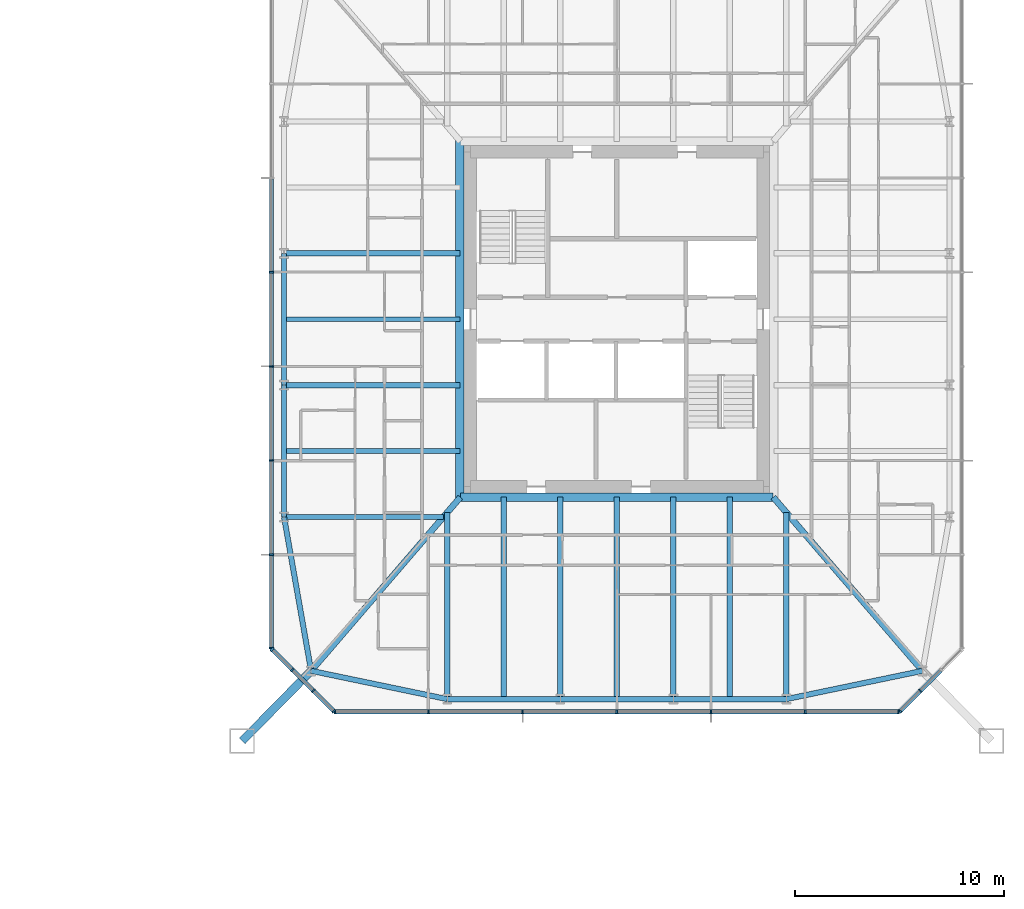
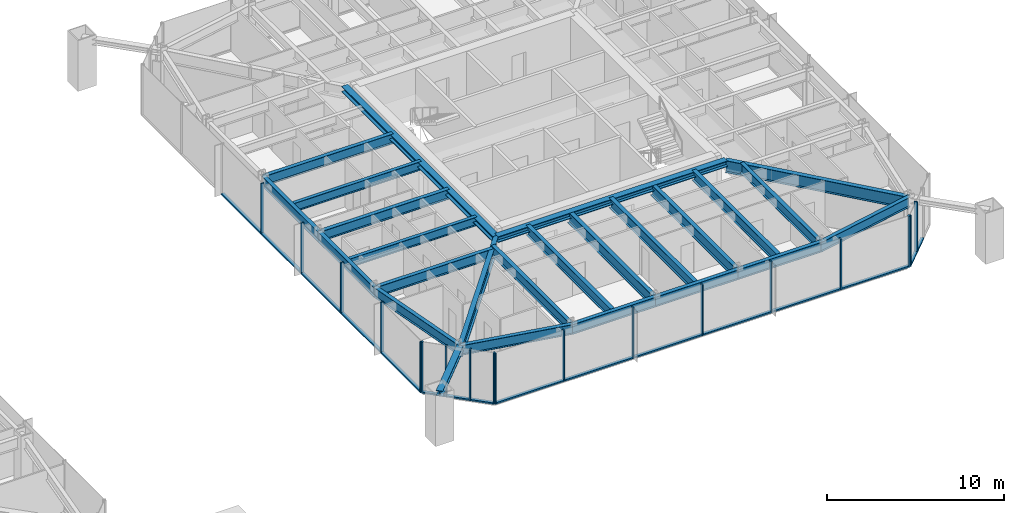
# One storey, part 8 of 26: 35 members, 24 beams, 4 elements without a shape of their own.
"""IFC4 building model written with IfcOpenShell, lengths in metres."""

import ifcopenshell
import ifcopenshell.guid

model = None  # the IFC model being written
_history = None  # IfcOwnerHistory: only IFC2X3 demands one
_inside = {}  # id of a spatial element -> (the spatial element, [elements in it])
_under = {}  # id of a project, library or spatial element -> (it, [spatial elements below it])
_declared = {}  # id of a project -> (the project, [libraries it declares])
_typed = {}  # id of a type object -> (the type object, [elements of that type])
_made_of = {}  # id of a material, layer set ... -> (it, [elements and type objects made of it])


def new_model(schema):
    """Start an empty IFC model of exactly this schema.

    Asked for "IFC4X3", IfcOpenShell would pick the latest addendum, in which some entities
    have other attributes; the version numbers below select the first issue.
    IFC2X3 requires an IfcOwnerHistory on every rooted entity: one is made here for all.
    """
    global model, _history
    if schema == "IFC4X3":
        model = ifcopenshell.file(schema_version=(4, 3, 0, 0))
    else:
        model = ifcopenshell.file(schema=schema)
    _inside.clear()
    _under.clear()
    _declared.clear()
    _typed.clear()
    _made_of.clear()
    _history = None
    if model.schema == "IFC2X3":
        org = make("IfcOrganization", Name="unknown")
        user = make(
            "IfcPersonAndOrganization",
            ThePerson=make("IfcPerson", FamilyName="unknown"),
            TheOrganization=org,
        )
        app = make(
            "IfcApplication",
            ApplicationDeveloper=org,
            Version="unknown",
            ApplicationFullName="unknown",
            ApplicationIdentifier="unknown",
        )
        _history = make(
            "IfcOwnerHistory",
            OwningUser=user,
            OwningApplication=app,
            ChangeAction="ADDED",
            CreationDate=0,
        )
    return model


def make(cls, **values):
    """One entity of the class cls with the attributes given. An attribute that is None is left unset."""
    return model.create_entity(
        cls, **{name: value for name, value in values.items() if value is not None}
    )


def rooted(cls, **values):
    """An entity with a GlobalId (a new one), such as an element, a storey or a relation."""
    return make(cls, GlobalId=ifcopenshell.guid.new(), OwnerHistory=_history, **values)


def si_unit(unit_type, name, prefix=None):
    """IfcSIUnit, for example si_unit("LENGTHUNIT", "METRE", prefix="MILLI")."""
    return make("IfcSIUnit", UnitType=unit_type, Prefix=prefix, Name=name)


def assignment(units):
    """IfcUnitAssignment: the units of a project."""
    return None if units is None else make("IfcUnitAssignment", Units=units)


def point(xyz):
    """IfcCartesianPoint."""
    return None if xyz is None else make("IfcCartesianPoint", Coordinates=xyz)


def direction(xyz):
    """IfcDirection."""
    return None if xyz is None else make("IfcDirection", DirectionRatios=xyz)


def frame(location, z_axis=None, x_axis=None):
    """IfcAxis2Placement3D, a coordinate frame: its origin and axes. An axis left out is left unset."""
    return make(
        "IfcAxis2Placement3D",
        Location=point(location),
        Axis=direction(z_axis),
        RefDirection=direction(x_axis),
    )


def frame_2d(location, x_axis=None):
    """IfcAxis2Placement2D, a coordinate frame in the plane: its origin and x axis."""
    return make(
        "IfcAxis2Placement2D", Location=point(location), RefDirection=direction(x_axis)
    )


def origin():
    """The frame at (0, 0, 0) with its axes left unset."""
    return frame((0.0, 0.0, 0.0))


def origin_2d():
    """The frame at (0, 0) in the plane with its x axis left unset."""
    return frame_2d((0.0, 0.0))


def place(relative_to, where):
    """IfcLocalPlacement: puts the frame where relative to a parent placement (None: the world)."""
    return make(
        "IfcLocalPlacement", PlacementRelTo=relative_to, RelativePlacement=where
    )


def context(
    kind, dimensions, precision=None, world=None, true_north=None, identifier=None
):
    """IfcGeometricRepresentationContext, for example the 3D "Model" context."""
    return make(
        "IfcGeometricRepresentationContext",
        ContextIdentifier=identifier,
        ContextType=kind,
        CoordinateSpaceDimension=dimensions,
        Precision=precision,
        WorldCoordinateSystem=world,
        TrueNorth=true_north,
    )


def subcontext(parent, identifier, kind, view, scale=None):
    """IfcGeometricRepresentationSubContext, for example "Body" below "Model"."""
    return make(
        "IfcGeometricRepresentationSubContext",
        ContextIdentifier=identifier,
        ContextType=kind,
        ParentContext=parent,
        TargetScale=scale,
        TargetView=view,
    )


def project(units=None, contexts=None):
    """IfcProject with its units and contexts."""
    return rooted(
        "IfcProject",
        Name="project",
        RepresentationContexts=contexts,
        UnitsInContext=assignment(units),
    )


def spatial(cls, under=None, at=None, **own):
    """A site, building, storey or space (cls), placed at a placement, below another one or the project."""
    s = rooted(cls, ObjectPlacement=at, **own)
    if under is not None:
        _under.setdefault(under.id(), (under, []))[1].append(s)
    return s


def profile(cls, at=None, kind="AREA", **sizes):
    """A parametric profile (cls). Its sizes go by their IFC names, for example OverallWidth=200.0."""
    return make(cls, ProfileType=kind, Position=at, **sizes)


def rectangle(**sizes):
    """IfcRectangleProfileDef."""
    return profile("IfcRectangleProfileDef", **sizes)


def i_section(**sizes):
    """IfcIShapeProfileDef."""
    return profile("IfcIShapeProfileDef", **sizes)


def extrude(swept, where, along, depth):
    """IfcExtrudedAreaSolid: the profile swept, set in the frame where, extruded along a direction by depth."""
    return make(
        "IfcExtrudedAreaSolid",
        SweptArea=swept,
        Position=where,
        ExtrudedDirection=direction(along),
        Depth=depth,
    )


def shape(context_of_items, identifier, shape_type, items):
    """IfcShapeRepresentation: the items that make up one representation, for example the "Body"."""
    return make(
        "IfcShapeRepresentation",
        ContextOfItems=context_of_items,
        RepresentationIdentifier=identifier,
        RepresentationType=shape_type,
        Items=items,
    )


def material(Name=None, Category=None):
    """IfcMaterial."""
    return make("IfcMaterial", Name=Name, Category=Category)


def material_profile(
    of_material, cross_section, Name=None, Category=None, Priority=None
):
    """IfcMaterialProfile: a cross section and its material."""
    return make(
        "IfcMaterialProfile",
        Name=Name,
        Material=of_material,
        Profile=cross_section,
        Priority=Priority,
        Category=Category,
    )


def profile_set(profiles, Name=None, composite=None):
    """IfcMaterialProfileSet."""
    return make(
        "IfcMaterialProfileSet",
        Name=Name,
        MaterialProfiles=profiles,
        CompositeProfile=composite,
    )


def made_of(thing, what):
    """Note that an element or type object is made of a material, layer set ...; save() writes the relation."""
    if what is not None:
        _made_of.setdefault(what.id(), (what, []))[1].append(thing)
    return thing


def type_object(cls, material=None, **own):
    """A type object (cls), such as IfcWallType, which elements share."""
    return made_of(rooted(cls, **own), material)


def element(
    cls,
    number,
    at=None,
    inside=None,
    cuts=None,
    type_object=None,
    material=None,
    context=None,
    identifier="Body",
    shape_type=None,
    held_by="IfcProductDefinitionShape",
    body=None,
    shapes=None,
    **own,
):
    """One element of the class cls, such as IfcWall. Its Tag is "e" and its number.

    at: its placement. inside: the storey or other place that contains it. cuts: it is an
    opening in that element (IfcRelVoidsElement). A single representation is given by context,
    identifier, shape_type and body (its items); several are given by shapes. held_by: the class
    of the entity that holds the representations. save() writes the other relations.
    """
    e = rooted(cls, Tag="e%d" % number, ObjectPlacement=at, **own)
    if body is not None:
        shapes = [shape(context, identifier, shape_type, body)]
    if shapes is not None:
        e.Representation = make(held_by, Representations=shapes)
    if inside is not None:
        _inside.setdefault(inside.id(), (inside, []))[1].append(e)
    if cuts is not None:
        rooted(
            "IfcRelVoidsElement", RelatingBuildingElement=cuts, RelatedOpeningElement=e
        )
    if type_object is not None:
        _typed.setdefault(type_object.id(), (type_object, []))[1].append(e)
    return made_of(e, material)


def aggregate(whole, parts):
    """IfcRelAggregates: a whole, such as a stair, and the parts it consists of."""
    return rooted("IfcRelAggregates", RelatingObject=whole, RelatedObjects=parts)


def save(model, path):
    """Write the relations noted so far, then the file.

    IfcRelAggregates (storeys below a building ...), IfcRelContainedInSpatialStructure (elements
    in a storey), IfcRelDefinesByType, IfcRelAssociatesMaterial and IfcRelDeclares: one each for
    every whole, place, type object, material and project.
    """
    for whole, parts in _under.values():
        aggregate(whole, parts)
    for where, things in _inside.values():
        rooted(
            "IfcRelContainedInSpatialStructure",
            RelatedElements=things,
            RelatingStructure=where,
        )
    for kind, things in _typed.values():
        rooted("IfcRelDefinesByType", RelatedObjects=things, RelatingType=kind)
    for what, things in _made_of.values():
        rooted("IfcRelAssociatesMaterial", RelatedObjects=things, RelatingMaterial=what)
    for by, libraries in _declared.values():
        rooted("IfcRelDeclares", RelatingContext=by, RelatedDefinitions=libraries)
    model.write(path)


model = new_model("IFC4")

# Units and contexts
model_context = context("Model", 3, precision=1e-05, world=origin(), true_north=direction((0.0, 1.0)))
body_context = subcontext(model_context, "Body", "Model", "MODEL_VIEW")
ifc_project = project(units=[si_unit("LENGTHUNIT", "METRE"), si_unit("AREAUNIT", "SQUARE_METRE"), si_unit("VOLUMEUNIT", "CUBIC_METRE"), si_unit("PLANEANGLEUNIT", "RADIAN"), si_unit("MASSUNIT", "GRAM", prefix="KILO")], contexts=[model_context])

# Site, building, storey
site_placement = place(None, origin())
site = spatial("IfcSite", under=ifc_project, at=site_placement, CompositionType="ELEMENT")
building_placement = place(site_placement, origin())
building = spatial("IfcBuilding", under=site, at=building_placement, Name="Iwan Alto Co-Living Towers", CompositionType="ELEMENT")
storey_placement = place(building_placement, frame((0.0, 0.0, 50.0)))
storey = spatial("IfcBuildingStorey", under=building, at=storey_placement, Name="L13", CompositionType="ELEMENT", Elevation=50.0)

# Curtain wall, members
ifc_material_1 = material(Name="Bronze aluminium unitised frame", Category="aluminium")
curtain_wall_type_1 = type_object("IfcCurtainWallType", Name="CURTAIN WALL CW-C", PredefinedType="NOTDEFINED", material=ifc_material_1)
curtain_wall_1_placement = place(storey_placement, origin())
curtain_wall_1 = element("IfcCurtainWall", 1, at=curtain_wall_1_placement, inside=storey, type_object=curtain_wall_type_1, Name="T2 curtain wall S L13", PredefinedType="NOTDEFINED")
ifc_material_2 = material(Name="Aluminium 6063-T6 bronze anodised", Category="aluminium")
ifc_material_profile_1 = material_profile(ifc_material_2, rectangle(XDim=0.199951171875, YDim=0.080078125, at=origin_2d()), Name="AL 80X200")
ifc_profile_set_1 = profile_set([ifc_material_profile_1], Name="Aluminium 6063-T6 bronze anodised")
member_type_1 = type_object("IfcMemberType", Name="CW-C MULLION 80X200", PredefinedType="MULLION", material=ifc_profile_set_1)
member_1_placement = place(storey_placement, frame((49.5400390625, -18.75, 0.0), z_axis=(0.0, 0.0, 1.0), x_axis=(0.0, 1.0, 0.0)))
member_1 = element("IfcMember", 2, at=member_1_placement, type_object=member_type_1, Name="CW-C mullion 1", PredefinedType="MULLION", context=body_context, shape_type="SweptSolid", body=[
    extrude(rectangle(XDim=0.199951171875, YDim=0.080078125, at=origin_2d()), origin(), (0.0, 0.0, 1.0), 3.5),
])
member_2_placement = place(storey_placement, frame((54.0, -18.75, 0.0), z_axis=(0.0, 0.0, 1.0), x_axis=(0.0, 1.0, 0.0)))
member_2 = element("IfcMember", 3, at=member_2_placement, type_object=member_type_1, Name="CW-C mullion 2", PredefinedType="MULLION", context=body_context, shape_type="SweptSolid", body=[
    extrude(rectangle(XDim=0.199951171875, YDim=0.080078125, at=origin_2d()), origin(), (0.0, 0.0, 1.0), 3.5),
])
member_3_placement = place(storey_placement, frame((58.5, -18.75, 0.0), z_axis=(0.0, 0.0, 1.0), x_axis=(0.0, 1.0, 0.0)))
member_3 = element("IfcMember", 4, at=member_3_placement, type_object=member_type_1, Name="CW-C mullion 3", PredefinedType="MULLION", context=body_context, shape_type="SweptSolid", body=[
    extrude(rectangle(XDim=0.199951171875, YDim=0.080078125, at=origin_2d()), origin(), (0.0, 0.0, 1.0), 3.5),
])
member_4_placement = place(storey_placement, frame((63.0, -18.75, 0.0), z_axis=(0.0, 0.0, 1.0), x_axis=(0.0, 1.0, 0.0)))
member_4 = element("IfcMember", 5, at=member_4_placement, type_object=member_type_1, Name="CW-C mullion 4", PredefinedType="MULLION", context=body_context, shape_type="SweptSolid", body=[
    extrude(rectangle(XDim=0.199951171875, YDim=0.080078125, at=origin_2d()), origin(), (0.0, 0.0, 1.0), 3.5),
])
member_5_placement = place(storey_placement, frame((67.5, -18.75, 0.0), z_axis=(0.0, 0.0, 1.0), x_axis=(0.0, 1.0, 0.0)))
member_5 = element("IfcMember", 6, at=member_5_placement, type_object=member_type_1, Name="CW-C mullion 5", PredefinedType="MULLION", context=body_context, shape_type="SweptSolid", body=[
    extrude(rectangle(XDim=0.199951171875, YDim=0.080078125, at=origin_2d()), origin(), (0.0, 0.0, 1.0), 3.5),
])
member_6_placement = place(storey_placement, frame((72.0, -18.75, 0.0), z_axis=(0.0, 0.0, 1.0), x_axis=(0.0, 1.0, 0.0)))
member_6 = element("IfcMember", 7, at=member_6_placement, type_object=member_type_1, Name="CW-C mullion 6", PredefinedType="MULLION", context=body_context, shape_type="SweptSolid", body=[
    extrude(rectangle(XDim=0.199951171875, YDim=0.080078125, at=origin_2d()), origin(), (0.0, 0.0, 1.0), 3.5),
])
member_7_placement = place(storey_placement, frame((76.4599609375, -18.75, 0.0), z_axis=(0.0, 0.0, 1.0), x_axis=(0.0, 1.0, 0.0)))
member_7 = element("IfcMember", 8, at=member_7_placement, type_object=member_type_1, Name="CW-C mullion 7", PredefinedType="MULLION", context=body_context, shape_type="SweptSolid", body=[
    extrude(rectangle(XDim=0.199951171875, YDim=0.080078125, at=origin_2d()), origin(), (0.0, 0.0, 1.0), 3.5),
])

curtain_wall_2_placement = place(storey_placement, origin())
curtain_wall_2 = element("IfcCurtainWall", 9, at=curtain_wall_2_placement, inside=storey, type_object=curtain_wall_type_1, Name="T2 curtain wall W L13", PredefinedType="NOTDEFINED")
member_8_placement = place(storey_placement, frame((46.5, 2.25, 0.0), z_axis=(0.0, 0.0, 1.0), x_axis=(1.0, 0.0, 0.0)))
member_8 = element("IfcMember", 10, at=member_8_placement, type_object=member_type_1, Name="CW-C mullion 4", PredefinedType="MULLION", context=body_context, shape_type="SweptSolid", body=[
    extrude(rectangle(XDim=0.199951171875, YDim=0.080078125, at=origin_2d()), origin(), (0.0, 0.0, 1.0), 3.5),
])
member_9_placement = place(storey_placement, frame((46.5, -2.25, 0.0), z_axis=(0.0, 0.0, 1.0), x_axis=(1.0, 0.0, 0.0)))
member_9 = element("IfcMember", 11, at=member_9_placement, type_object=member_type_1, Name="CW-C mullion 5", PredefinedType="MULLION", context=body_context, shape_type="SweptSolid", body=[
    extrude(rectangle(XDim=0.199951171875, YDim=0.080078125, at=origin_2d()), origin(), (0.0, 0.0, 1.0), 3.5),
])
member_10_placement = place(storey_placement, frame((46.5, -6.75, 0.0), z_axis=(0.0, 0.0, 1.0), x_axis=(1.0, 0.0, 0.0)))
member_10 = element("IfcMember", 12, at=member_10_placement, type_object=member_type_1, Name="CW-C mullion 6", PredefinedType="MULLION", context=body_context, shape_type="SweptSolid", body=[
    extrude(rectangle(XDim=0.199951171875, YDim=0.080078125, at=origin_2d()), origin(), (0.0, 0.0, 1.0), 3.5),
])
member_11_placement = place(storey_placement, frame((46.5, -11.25, 0.0), z_axis=(0.0, 0.0, 1.0), x_axis=(1.0, 0.0, 0.0)))
member_11 = element("IfcMember", 13, at=member_11_placement, type_object=member_type_1, Name="CW-C mullion 7", PredefinedType="MULLION", context=body_context, shape_type="SweptSolid", body=[
    extrude(rectangle(XDim=0.199951171875, YDim=0.080078125, at=origin_2d()), origin(), (0.0, 0.0, 1.0), 3.5),
])
member_12_placement = place(storey_placement, frame((46.5, -15.7099609375, 0.0), z_axis=(0.0, 0.0, 1.0), x_axis=(1.0, 0.0, 0.0)))
member_12 = element("IfcMember", 14, at=member_12_placement, type_object=member_type_1, Name="CW-C mullion 8", PredefinedType="MULLION", context=body_context, shape_type="SweptSolid", body=[
    extrude(rectangle(XDim=0.199951171875, YDim=0.080078125, at=origin_2d()), origin(), (0.0, 0.0, 1.0), 3.5),
])

# Member
ifc_material_3 = material(Name="Aluminium 6063-T6 bronze anodised", Category="aluminium")
ifc_material_profile_2 = material_profile(ifc_material_3, rectangle(XDim=0.199951171875, YDim=0.10009765625, at=origin_2d()), Name="AL 200X100")
ifc_profile_set_2 = profile_set([ifc_material_profile_2], Name="Aluminium 6063-T6 bronze anodised")
member_type_2 = type_object("IfcMemberType", Name="CW-C TRANSOM 200X100", PredefinedType="USERDEFINED", material=ifc_profile_set_2)
member_13_placement = place(storey_placement, frame((49.580078125, -18.75, 0.050048828125), z_axis=(1.0, 0.0, 0.0), x_axis=(0.0, 1.0, 0.0)))
member_13 = element("IfcMember", 15, at=member_13_placement, type_object=member_type_2, Name="CW-C transom 1.1", ObjectType="TRANSOM", PredefinedType="USERDEFINED", context=body_context, shape_type="SweptSolid", body=[
    extrude(rectangle(XDim=0.199951171875, YDim=0.10009765625, at=origin_2d()), origin(), (0.0, 0.0, 1.0), 4.3798828125),
])

member_14_placement = place(storey_placement, frame((54.0400390625, -18.75, 0.050048828125), z_axis=(1.0, 0.0, 0.0), x_axis=(0.0, 1.0, 0.0)))
member_14 = element("IfcMember", 16, at=member_14_placement, type_object=member_type_2, Name="CW-C transom 2.1", ObjectType="TRANSOM", PredefinedType="USERDEFINED", context=body_context, shape_type="SweptSolid", body=[
    extrude(rectangle(XDim=0.199951171875, YDim=0.10009765625, at=origin_2d()), origin(), (0.0, 0.0, 1.0), 4.419921875),
])

member_15_placement = place(storey_placement, frame((58.5400390625, -18.75, 0.050048828125), z_axis=(1.0, 0.0, 0.0), x_axis=(0.0, 1.0, 0.0)))
member_15 = element("IfcMember", 17, at=member_15_placement, type_object=member_type_2, Name="CW-C transom 3.1", ObjectType="TRANSOM", PredefinedType="USERDEFINED", context=body_context, shape_type="SweptSolid", body=[
    extrude(rectangle(XDim=0.199951171875, YDim=0.10009765625, at=origin_2d()), origin(), (0.0, 0.0, 1.0), 4.419921875),
])

member_16_placement = place(storey_placement, frame((63.0400390625, -18.75, 0.050048828125), z_axis=(1.0, 0.0, 0.0), x_axis=(0.0, 1.0, 0.0)))
member_16 = element("IfcMember", 18, at=member_16_placement, type_object=member_type_2, Name="CW-C transom 4.1", ObjectType="TRANSOM", PredefinedType="USERDEFINED", context=body_context, shape_type="SweptSolid", body=[
    extrude(rectangle(XDim=0.199951171875, YDim=0.10009765625, at=origin_2d()), origin(), (0.0, 0.0, 1.0), 4.419921875),
])

member_17_placement = place(storey_placement, frame((67.5400390625, -18.75, 0.050048828125), z_axis=(1.0, 0.0, 0.0), x_axis=(0.0, 1.0, 0.0)))
member_17 = element("IfcMember", 19, at=member_17_placement, type_object=member_type_2, Name="CW-C transom 5.1", ObjectType="TRANSOM", PredefinedType="USERDEFINED", context=body_context, shape_type="SweptSolid", body=[
    extrude(rectangle(XDim=0.199951171875, YDim=0.10009765625, at=origin_2d()), origin(), (0.0, 0.0, 1.0), 4.419921875),
])

member_18_placement = place(storey_placement, frame((72.0400390625, -18.75, 0.050048828125), z_axis=(1.0, 0.0, 0.0), x_axis=(0.0, 1.0, 0.0)))
member_18 = element("IfcMember", 20, at=member_18_placement, type_object=member_type_2, Name="CW-C transom 6.1", ObjectType="TRANSOM", PredefinedType="USERDEFINED", context=body_context, shape_type="SweptSolid", body=[
    extrude(rectangle(XDim=0.199951171875, YDim=0.10009765625, at=origin_2d()), origin(), (0.0, 0.0, 1.0), 4.3798828125),
])

aggregate(curtain_wall_1, [member_1, member_2, member_3, member_4, member_5, member_6, member_7, member_13, member_14, member_15, member_16, member_17, member_18])

member_19_placement = place(storey_placement, frame((46.5, 6.7099609375, 0.050048828125), z_axis=(0.0, -1.0, 0.0), x_axis=(1.0, 0.0, 0.0)))
member_19 = element("IfcMember", 21, at=member_19_placement, type_object=member_type_2, Name="CW-C transom 3.1", ObjectType="TRANSOM", PredefinedType="USERDEFINED", context=body_context, shape_type="SweptSolid", body=[
    extrude(rectangle(XDim=0.199951171875, YDim=0.10009765625, at=origin_2d()), origin(), (0.0, 0.0, 1.0), 4.419921875),
])

member_20_placement = place(storey_placement, frame((46.5, 2.2099609375, 0.050048828125), z_axis=(0.0, -1.0, 0.0), x_axis=(1.0, 0.0, 0.0)))
member_20 = element("IfcMember", 22, at=member_20_placement, type_object=member_type_2, Name="CW-C transom 4.1", ObjectType="TRANSOM", PredefinedType="USERDEFINED", context=body_context, shape_type="SweptSolid", body=[
    extrude(rectangle(XDim=0.199951171875, YDim=0.10009765625, at=origin_2d()), origin(), (0.0, 0.0, 1.0), 4.419921875),
])

member_21_placement = place(storey_placement, frame((46.5, -2.2900390625, 0.050048828125), z_axis=(0.0, -1.0, 0.0), x_axis=(1.0, 0.0, 0.0)))
member_21 = element("IfcMember", 23, at=member_21_placement, type_object=member_type_2, Name="CW-C transom 5.1", ObjectType="TRANSOM", PredefinedType="USERDEFINED", context=body_context, shape_type="SweptSolid", body=[
    extrude(rectangle(XDim=0.199951171875, YDim=0.10009765625, at=origin_2d()), origin(), (0.0, 0.0, 1.0), 4.419921875),
])

member_22_placement = place(storey_placement, frame((46.5, -6.7900390625, 0.050048828125), z_axis=(0.0, -1.0, 0.0), x_axis=(1.0, 0.0, 0.0)))
member_22 = element("IfcMember", 24, at=member_22_placement, type_object=member_type_2, Name="CW-C transom 6.1", ObjectType="TRANSOM", PredefinedType="USERDEFINED", context=body_context, shape_type="SweptSolid", body=[
    extrude(rectangle(XDim=0.199951171875, YDim=0.10009765625, at=origin_2d()), origin(), (0.0, 0.0, 1.0), 4.419921875),
])

member_23_placement = place(storey_placement, frame((46.5, -11.2900390625, 0.050048828125), z_axis=(0.0, -1.0, 0.0), x_axis=(1.0, 0.0, 0.0)))
member_23 = element("IfcMember", 25, at=member_23_placement, type_object=member_type_2, Name="CW-C transom 7.1", ObjectType="TRANSOM", PredefinedType="USERDEFINED", context=body_context, shape_type="SweptSolid", body=[
    extrude(rectangle(XDim=0.199951171875, YDim=0.10009765625, at=origin_2d()), origin(), (0.0, 0.0, 1.0), 4.3798828125),
])

aggregate(curtain_wall_2, [member_8, member_9, member_10, member_11, member_12, member_19, member_20, member_21, member_22, member_23])

# Curtain wall, members
ifc_material_4 = material(Name="Bronze aluminium unitised frame", Category="aluminium")
curtain_wall_type_2 = type_object("IfcCurtainWallType", Name="CURTAIN WALL CW-D", PredefinedType="NOTDEFINED", material=ifc_material_4)
curtain_wall_3_placement = place(storey_placement, origin())
curtain_wall_3 = element("IfcCurtainWall", 26, at=curtain_wall_3_placement, inside=storey, type_object=curtain_wall_type_2, Name="T2 chamfer curtain wall SE L13", PredefinedType="NOTDEFINED")
ifc_material_5 = material(Name="Aluminium 6063-T6 bronze anodised", Category="aluminium")
ifc_material_profile_3 = material_profile(ifc_material_5, rectangle(XDim=0.199951171875, YDim=0.080078125, at=origin_2d()), Name="AL 80X200")
ifc_profile_set_3 = profile_set([ifc_material_profile_3], Name="Aluminium 6063-T6 bronze anodised")
member_type_3 = type_object("IfcMemberType", Name="CW-D MULLION 80X200", PredefinedType="MULLION", material=ifc_profile_set_3)
member_24_placement = place(storey_placement, frame((76.5283203125, -18.7216796875, 0.0), z_axis=(0.0, 0.0, 1.0), x_axis=(-0.707106781187, 0.707106781187, 0.0)))
member_24 = element("IfcMember", 27, at=member_24_placement, type_object=member_type_3, Name="CW-D mullion 1", PredefinedType="MULLION", context=body_context, shape_type="SweptSolid", body=[
    extrude(rectangle(XDim=0.199951171875, YDim=0.080078125, at=origin_2d()), origin(), (0.0, 0.0, 1.0), 3.5),
])
member_25_placement = place(storey_placement, frame((77.5, -17.75, 0.0), z_axis=(0.0, 0.0, 1.0), x_axis=(-0.707106781187, 0.707106781187, 0.0)))
member_25 = element("IfcMember", 28, at=member_25_placement, type_object=member_type_3, Name="CW-D mullion 2", PredefinedType="MULLION", context=body_context, shape_type="SweptSolid", body=[
    extrude(rectangle(XDim=0.199951171875, YDim=0.080078125, at=origin_2d()), origin(), (0.0, 0.0, 1.0), 3.5),
])

curtain_wall_4_placement = place(storey_placement, origin())
curtain_wall_4 = element("IfcCurtainWall", 29, at=curtain_wall_4_placement, inside=storey, type_object=curtain_wall_type_2, Name="T2 chamfer curtain wall SW L13", PredefinedType="NOTDEFINED")
member_26_placement = place(storey_placement, frame((46.5283203125, -15.7783203125, 0.0), z_axis=(0.0, 0.0, 1.0), x_axis=(0.707106781187, 0.707106781187, 0.0)))
member_26 = element("IfcMember", 30, at=member_26_placement, type_object=member_type_3, Name="CW-D mullion 1", PredefinedType="MULLION", context=body_context, shape_type="SweptSolid", body=[
    extrude(rectangle(XDim=0.199951171875, YDim=0.080078125, at=origin_2d()), origin(), (0.0, 0.0, 1.0), 3.5),
])
member_27_placement = place(storey_placement, frame((47.5, -16.75, 0.0), z_axis=(0.0, 0.0, 1.0), x_axis=(0.707106781187, 0.707106781187, 0.0)))
member_27 = element("IfcMember", 31, at=member_27_placement, type_object=member_type_3, Name="CW-D mullion 2", PredefinedType="MULLION", context=body_context, shape_type="SweptSolid", body=[
    extrude(rectangle(XDim=0.199951171875, YDim=0.080078125, at=origin_2d()), origin(), (0.0, 0.0, 1.0), 3.5),
])
member_28_placement = place(storey_placement, frame((48.5, -17.75, 0.0), z_axis=(0.0, 0.0, 1.0), x_axis=(0.707106781187, 0.707106781187, 0.0)))
member_28 = element("IfcMember", 32, at=member_28_placement, type_object=member_type_3, Name="CW-D mullion 3", PredefinedType="MULLION", context=body_context, shape_type="SweptSolid", body=[
    extrude(rectangle(XDim=0.199951171875, YDim=0.080078125, at=origin_2d()), origin(), (0.0, 0.0, 1.0), 3.5),
])
member_29_placement = place(storey_placement, frame((49.4716796875, -18.7216796875, 0.0), z_axis=(0.0, 0.0, 1.0), x_axis=(0.707106781187, 0.707106781187, 0.0)))
member_29 = element("IfcMember", 33, at=member_29_placement, type_object=member_type_3, Name="CW-D mullion 4", PredefinedType="MULLION", context=body_context, shape_type="SweptSolid", body=[
    extrude(rectangle(XDim=0.199951171875, YDim=0.080078125, at=origin_2d()), origin(), (0.0, 0.0, 1.0), 3.5),
])

# Member
ifc_material_6 = material(Name="Aluminium 6063-T6 bronze anodised", Category="aluminium")
ifc_material_profile_4 = material_profile(ifc_material_6, rectangle(XDim=0.199951171875, YDim=0.10009765625, at=origin_2d()), Name="AL 200X100")
ifc_profile_set_4 = profile_set([ifc_material_profile_4], Name="Aluminium 6063-T6 bronze anodised")
member_type_4 = type_object("IfcMemberType", Name="CW-D TRANSOM 200X100", PredefinedType="USERDEFINED", material=ifc_profile_set_4)
member_30_placement = place(storey_placement, frame((76.556640625, -18.693359375, 0.050048828125), z_axis=(0.707106781187, 0.707106781187, 0.0), x_axis=(-0.707106781187, 0.707106781187, 0.0)))
member_30 = element("IfcMember", 34, at=member_30_placement, type_object=member_type_4, Name="CW-D transom 1.1", ObjectType="TRANSOM", PredefinedType="USERDEFINED", context=body_context, shape_type="SweptSolid", body=[
    extrude(rectangle(XDim=0.199951171875, YDim=0.10009765625, at=origin_2d()), origin(), (0.0, 0.0, 1.0), 1.2939453125),
])

member_31_placement = place(storey_placement, frame((77.5283203125, -17.7216796875, 0.050048828125), z_axis=(0.707106781187, 0.707106781187, 0.0), x_axis=(-0.707106781187, 0.707106781187, 0.0)))
member_31 = element("IfcMember", 35, at=member_31_placement, type_object=member_type_4, Name="CW-D transom 2.1", ObjectType="TRANSOM", PredefinedType="USERDEFINED", context=body_context, shape_type="SweptSolid", body=[
    extrude(rectangle(XDim=0.199951171875, YDim=0.10009765625, at=origin_2d()), origin(), (0.0, 0.0, 1.0), 1.334228515625),
])

aggregate(curtain_wall_3, [member_24, member_25, member_30, member_31])

member_32_placement = place(storey_placement, frame((46.556640625, -15.806640625, 0.050048828125), z_axis=(0.707106781187, -0.707106781187, 0.0), x_axis=(0.707106781187, 0.707106781187, 0.0)))
member_32 = element("IfcMember", 36, at=member_32_placement, type_object=member_type_4, Name="CW-D transom 1.1", ObjectType="TRANSOM", PredefinedType="USERDEFINED", context=body_context, shape_type="SweptSolid", body=[
    extrude(rectangle(XDim=0.199951171875, YDim=0.10009765625, at=origin_2d()), origin(), (0.0, 0.0, 1.0), 1.2939453125),
])

member_33_placement = place(storey_placement, frame((47.5283203125, -16.7783203125, 0.050048828125), z_axis=(0.707106781187, -0.707106781187, 0.0), x_axis=(0.707106781187, 0.707106781187, 0.0)))
member_33 = element("IfcMember", 37, at=member_33_placement, type_object=member_type_4, Name="CW-D transom 2.1", ObjectType="TRANSOM", PredefinedType="USERDEFINED", context=body_context, shape_type="SweptSolid", body=[
    extrude(rectangle(XDim=0.199951171875, YDim=0.10009765625, at=origin_2d()), origin(), (0.0, 0.0, 1.0), 1.334228515625),
])

member_34_placement = place(storey_placement, frame((48.5283203125, -17.7783203125, 0.050048828125), z_axis=(0.707106781187, -0.707106781187, 0.0), x_axis=(0.707106781187, 0.707106781187, 0.0)))
member_34 = element("IfcMember", 38, at=member_34_placement, type_object=member_type_4, Name="CW-D transom 3.1", ObjectType="TRANSOM", PredefinedType="USERDEFINED", context=body_context, shape_type="SweptSolid", body=[
    extrude(rectangle(XDim=0.199951171875, YDim=0.10009765625, at=origin_2d()), origin(), (0.0, 0.0, 1.0), 1.2939453125),
])

aggregate(curtain_wall_4, [member_26, member_27, member_28, member_29, member_32, member_33, member_34])

# Beams
ifc_material_7 = material(Name="Steel ASTM A992 Gr 50", Category="steel")
ifc_material_profile_5 = material_profile(ifc_material_7, i_section(OverallWidth=0.40380859375, OverallDepth=0.406494140625, WebThickness=0.027099609375, FlangeThickness=0.043701171875, at=origin_2d()), Name="W14X233")
ifc_profile_set_5 = profile_set([ifc_material_profile_5], Name="Steel ASTM A992 Gr 50")
beam_type_1 = type_object("IfcBeamType", Name="T2 CORE LEDGER BEAM W14X233", PredefinedType="BEAM", material=ifc_profile_set_5)
beam_1_placement = place(storey_placement, frame((55.5263671875, -8.501953125, 3.06689453125), z_axis=(1.0, 0.0, 0.0), x_axis=(0.0, 1.0, 0.0)))
element("IfcBeam", 39, at=beam_1_placement, inside=storey, type_object=beam_type_1, Name="T2 core ledger beam S L14", PredefinedType="BEAM", context=body_context, shape_type="SweptSolid", body=[
    extrude(i_section(OverallWidth=0.40380859375, OverallDepth=0.406494140625, WebThickness=0.027099609375, FlangeThickness=0.043701171875, at=origin_2d()), origin(), (0.0, 0.0, 1.0), 14.947265625),
])
beam_2_placement = place(storey_placement, frame((55.498046875, 8.534912109375, 3.06689453125), z_axis=(0.0, -1.0, 0.0), x_axis=(1.0, 0.0, 0.0)))
element("IfcBeam", 40, at=beam_2_placement, inside=storey, type_object=beam_type_1, Name="T2 core ledger beam W L14", PredefinedType="BEAM", context=body_context, shape_type="SweptSolid", body=[
    extrude(i_section(OverallWidth=0.40380859375, OverallDepth=0.406494140625, WebThickness=0.027099609375, FlangeThickness=0.043701171875, at=origin_2d()), origin(), (0.0, 0.0, 1.0), 17.06982421875),
])
ifc_material_8 = material(Name="Steel ASTM A992 Gr 50", Category="steel")
ifc_material_profile_6 = material_profile(ifc_material_8, i_section(OverallWidth=0.2919921875, OverallDepth=0.8408203125, WebThickness=0.0146484375, FlangeThickness=0.021728515625, at=origin_2d()), Name="W33X130")
ifc_profile_set_6 = profile_set([ifc_material_profile_6], Name="Steel ASTM A992 Gr 50")
beam_type_2 = type_object("IfcBeamType", Name="T2 CORNER GIRDER W33X130", PredefinedType="BEAM", material=ifc_profile_set_6)
for number, where, z_axis, x_axis, name in (
    (41, (48.393798828125, -16.797119140625, 2.849609375), (0.651972301827, 0.758242782788, 0.0), (-0.758242782788, 0.651972301827, 0.0), "T2 corner girder CSW L14"),
    (42, (77.606201171875, -16.797119140625, 2.849609375), (-0.651972301827, 0.758242782788, 0.0), (-0.758242782788, -0.651972301827, 0.0), "T2 corner girder CSE L14"),
):
    element("IfcBeam", number, at=place(storey_placement, frame(where, z_axis=z_axis, x_axis=x_axis)), inside=storey, type_object=beam_type_2, Name=name, PredefinedType="BEAM", context=body_context, shape_type="SweptSolid", body=[
        extrude(i_section(OverallWidth=0.2919921875, OverallDepth=0.8408203125, WebThickness=0.0146484375, FlangeThickness=0.021728515625, at=origin_2d()), origin(), (0.0, 0.0, 1.0), 10.93994140625),
    ])
ifc_material_9 = material(Name="Steel ASTM A992 Gr 50", Category="steel")
ifc_material_profile_7 = material_profile(ifc_material_9, i_section(OverallWidth=0.25390625, OverallDepth=0.683349609375, WebThickness=0.012451171875, FlangeThickness=0.018798828125, at=origin_2d()), Name="W27X94")
ifc_profile_set_7 = profile_set([ifc_material_profile_7], Name="Steel ASTM A992 Gr 50")
beam_type_3 = type_object("IfcBeamType", Name="T2 EDGE BEAM W27X94", PredefinedType="BEAM", material=ifc_profile_set_7)
beam_3_placement = place(storey_placement, frame((48.393798828125, -16.797119140625, 2.928466796875), z_axis=(0.979060119423, -0.203571320564, 0.0), x_axis=(0.203571320564, 0.979060119423, 0.0)))
element("IfcBeam", 43, at=beam_3_placement, inside=storey, type_object=beam_type_3, Name="T2 edge beam CSW L14", PredefinedType="BEAM", context=body_context, shape_type="SweptSolid", body=[
    extrude(i_section(OverallWidth=0.25390625, OverallDepth=0.683349609375, WebThickness=0.012451171875, FlangeThickness=0.018798828125, at=origin_2d()), origin(), (0.0, 0.0, 1.0), 6.645263671875),
])
beam_4_placement = place(storey_placement, frame((54.89990234375, -18.14990234375, 2.928466796875), z_axis=(1.0, 0.0, 0.0), x_axis=(0.0, 1.0, 0.0)))
element("IfcBeam", 44, at=beam_4_placement, inside=storey, type_object=beam_type_3, Name="T2 edge beam S1 L14", PredefinedType="BEAM", context=body_context, shape_type="SweptSolid", body=[
    extrude(i_section(OverallWidth=0.25390625, OverallDepth=0.683349609375, WebThickness=0.012451171875, FlangeThickness=0.018798828125, at=origin_2d()), origin(), (0.0, 0.0, 1.0), 5.400146484375),
])
beam_5_placement = place(storey_placement, frame((60.300048828125, -18.14990234375, 2.928466796875), z_axis=(1.0, 0.0, 0.0), x_axis=(0.0, 1.0, 0.0)))
element("IfcBeam", 45, at=beam_5_placement, inside=storey, type_object=beam_type_3, Name="T2 edge beam S2 L14", PredefinedType="BEAM", context=body_context, shape_type="SweptSolid", body=[
    extrude(i_section(OverallWidth=0.25390625, OverallDepth=0.683349609375, WebThickness=0.012451171875, FlangeThickness=0.018798828125, at=origin_2d()), origin(), (0.0, 0.0, 1.0), 5.39990234375),
])
beam_6_placement = place(storey_placement, frame((65.699951171875, -18.14990234375, 2.928466796875), z_axis=(1.0, 0.0, 0.0), x_axis=(0.0, 1.0, 0.0)))
element("IfcBeam", 46, at=beam_6_placement, inside=storey, type_object=beam_type_3, Name="T2 edge beam S3 L14", PredefinedType="BEAM", context=body_context, shape_type="SweptSolid", body=[
    extrude(i_section(OverallWidth=0.25390625, OverallDepth=0.683349609375, WebThickness=0.012451171875, FlangeThickness=0.018798828125, at=origin_2d()), origin(), (0.0, 0.0, 1.0), 5.400146484375),
])
beam_7_placement = place(storey_placement, frame((71.10009765625, -18.14990234375, 2.928466796875), z_axis=(0.979060119423, 0.203571320564, 0.0), x_axis=(-0.203571320564, 0.979060119423, 0.0)))
element("IfcBeam", 47, at=beam_7_placement, inside=storey, type_object=beam_type_3, Name="T2 edge beam S4 L14", PredefinedType="BEAM", context=body_context, shape_type="SweptSolid", body=[
    extrude(i_section(OverallWidth=0.25390625, OverallDepth=0.683349609375, WebThickness=0.012451171875, FlangeThickness=0.018798828125, at=origin_2d()), origin(), (0.0, 0.0, 1.0), 6.645263671875),
])
beam_8_placement = place(storey_placement, frame((47.10009765625, 3.14990234375, 2.928466796875), z_axis=(0.0, -1.0, 0.0), x_axis=(1.0, 0.0, 0.0)))
element("IfcBeam", 48, at=beam_8_placement, inside=storey, type_object=beam_type_3, Name="T2 edge beam W2 L14", PredefinedType="BEAM", context=body_context, shape_type="SweptSolid", body=[
    extrude(i_section(OverallWidth=0.25390625, OverallDepth=0.683349609375, WebThickness=0.012451171875, FlangeThickness=0.018798828125, at=origin_2d()), origin(), (0.0, 0.0, 1.0), 6.2998046875),
])
beam_9_placement = place(storey_placement, frame((47.10009765625, -3.14990234375, 2.928466796875), z_axis=(0.0, -1.0, 0.0), x_axis=(1.0, 0.0, 0.0)))
element("IfcBeam", 49, at=beam_9_placement, inside=storey, type_object=beam_type_3, Name="T2 edge beam W3 L14", PredefinedType="BEAM", context=body_context, shape_type="SweptSolid", body=[
    extrude(i_section(OverallWidth=0.25390625, OverallDepth=0.683349609375, WebThickness=0.012451171875, FlangeThickness=0.018798828125, at=origin_2d()), origin(), (0.0, 0.0, 1.0), 6.300048828125),
])
beam_10_placement = place(storey_placement, frame((47.10009765625, -9.449951171875, 2.928466796875), z_axis=(0.173413807283, -0.98484905008, 0.0), x_axis=(0.98484905008, 0.173413807283, 0.0)))
element("IfcBeam", 50, at=beam_10_placement, inside=storey, type_object=beam_type_3, Name="T2 edge beam W4 L14", PredefinedType="BEAM", context=body_context, shape_type="SweptSolid", body=[
    extrude(i_section(OverallWidth=0.25390625, OverallDepth=0.683349609375, WebThickness=0.012451171875, FlangeThickness=0.018798828125, at=origin_2d()), origin(), (0.0, 0.0, 1.0), 7.460205078125),
])

# Member
ifc_material_10 = material(Name="Steel ASTM A992 Gr 50", Category="steel")
ifc_material_profile_8 = material_profile(ifc_material_10, i_section(OverallWidth=0.393798828125, OverallDepth=0.3759765625, WebThickness=0.017333984375, FlangeThickness=0.027587890625, at=origin_2d()), Name="W14X145")
ifc_profile_set_8 = profile_set([ifc_material_profile_8], Name="Steel ASTM A992 Gr 50")
member_type_5 = type_object("IfcMemberType", Name="T2 MEGA COLUMN FLOOR TIE W14X145", PredefinedType="STRUT", material=ifc_profile_set_8)
member_35_placement = place(storey_placement, frame((45.10009765625, -20.14990234375, 3.08203125), z_axis=(0.700793469544, 0.71336422187, 0.0), x_axis=(-0.71336422187, 0.700793469544, 0.0)))
element("IfcMember", 51, at=member_35_placement, inside=storey, type_object=member_type_5, Name="T2 mega column floor tie SW L14", PredefinedType="STRUT", context=body_context, shape_type="SweptSolid", body=[
    extrude(i_section(OverallWidth=0.393798828125, OverallDepth=0.3759765625, WebThickness=0.017333984375, FlangeThickness=0.027587890625, at=origin_2d()), origin(), (0.0, 0.0, 1.0), 4.699951171875),
])

# Beams
ifc_material_11 = material(Name="Steel ASTM A992 Gr 50", Category="steel")
ifc_material_profile_9 = material_profile(ifc_material_11, i_section(OverallWidth=0.25390625, OverallDepth=0.683349609375, WebThickness=0.012451171875, FlangeThickness=0.018798828125, at=origin_2d()), Name="W27X94")
ifc_profile_set_9 = profile_set([ifc_material_profile_9], Name="Steel ASTM A992 Gr 50")
beam_type_4 = type_object("IfcBeamType", Name="T2 RADIAL BEAM W27X94", PredefinedType="BEAM", material=ifc_profile_set_9)
for number, where, z_axis, x_axis, name in (
    (52, (54.89990234375, -18.14990234375, 2.928466796875), (0.0, 1.0, 0.0), (-1.0, 0.0, 0.0), "T2 radial beam S1 L14"),
    (53, (71.10009765625, -18.14990234375, 2.928466796875), (0.0, 1.0, 0.0), (-1.0, 0.0, 0.0), "T2 radial beam S4 L14"),
):
    element("IfcBeam", number, at=place(storey_placement, frame(where, z_axis=z_axis, x_axis=x_axis)), inside=storey, type_object=beam_type_4, Name=name, PredefinedType="BEAM", context=body_context, shape_type="SweptSolid", body=[
        extrude(i_section(OverallWidth=0.25390625, OverallDepth=0.683349609375, WebThickness=0.012451171875, FlangeThickness=0.018798828125, at=origin_2d()), origin(), (0.0, 0.0, 1.0), 8.91943359375),
    ])
for number, where, z_axis, x_axis, name in (
    (54, (47.10009765625, 3.14990234375, 2.928466796875), (1.0, 0.0, 0.0), (0.0, 1.0, 0.0), "T2 radial beam W2 L14"),
    (55, (47.10009765625, -3.14990234375, 2.928466796875), (1.0, 0.0, 0.0), (0.0, 1.0, 0.0), "T2 radial beam W3 L14"),
):
    element("IfcBeam", number, at=place(storey_placement, frame(where, z_axis=z_axis, x_axis=x_axis)), inside=storey, type_object=beam_type_4, Name=name, PredefinedType="BEAM", context=body_context, shape_type="SweptSolid", body=[
        extrude(i_section(OverallWidth=0.25390625, OverallDepth=0.683349609375, WebThickness=0.012451171875, FlangeThickness=0.018798828125, at=origin_2d()), origin(), (0.0, 0.0, 1.0), 8.39794921875),
    ])
beam_11_placement = place(storey_placement, frame((47.10009765625, -9.449951171875, 2.928466796875), z_axis=(1.0, 0.0, 0.0), x_axis=(0.0, 1.0, 0.0)))
element("IfcBeam", 56, at=beam_11_placement, inside=storey, type_object=beam_type_4, Name="T2 radial beam W4 L14", PredefinedType="BEAM", context=body_context, shape_type="SweptSolid", body=[
    extrude(i_section(OverallWidth=0.25390625, OverallDepth=0.683349609375, WebThickness=0.012451171875, FlangeThickness=0.018798828125, at=origin_2d()), origin(), (0.0, 0.0, 1.0), 7.611083984375),
])
ifc_material_12 = material(Name="Steel ASTM A992 Gr 50", Category="steel")
ifc_material_profile_10 = material_profile(ifc_material_12, i_section(OverallWidth=0.2666015625, OverallDepth=0.761962890625, WebThickness=0.014404296875, FlangeThickness=0.021484375, at=origin_2d()), Name="W30X116")
ifc_profile_set_10 = profile_set([ifc_material_profile_10], Name="Steel ASTM A992 Gr 50")
beam_type_5 = type_object("IfcBeamType", Name="T2 RADIAL BEAM W30X116", PredefinedType="BEAM", material=ifc_profile_set_10)
for number, where, z_axis, x_axis, name in (
    (57, (60.300048828125, -18.14990234375, 2.888916015625), (0.0, 1.0, 0.0), (-1.0, 0.0, 0.0), "T2 radial beam S2 L14"),
    (58, (65.699951171875, -18.14990234375, 2.888916015625), (0.0, 1.0, 0.0), (-1.0, 0.0, 0.0), "T2 radial beam S3 L14"),
):
    element("IfcBeam", number, at=place(storey_placement, frame(where, z_axis=z_axis, x_axis=x_axis)), inside=storey, type_object=beam_type_5, Name=name, PredefinedType="BEAM", context=body_context, shape_type="SweptSolid", body=[
        extrude(i_section(OverallWidth=0.2666015625, OverallDepth=0.761962890625, WebThickness=0.014404296875, FlangeThickness=0.021484375, at=origin_2d()), origin(), (0.0, 0.0, 1.0), 9.64794921875),
    ])
ifc_material_13 = material(Name="Steel ASTM A992 Gr 50", Category="steel")
ifc_material_profile_11 = material_profile(ifc_material_13, i_section(OverallWidth=0.228271484375, OverallDepth=0.607177734375, WebThickness=0.01123046875, FlangeThickness=0.017333984375, at=origin_2d()), Name="W24X76")
ifc_profile_set_11 = profile_set([ifc_material_profile_11], Name="Steel ASTM A992 Gr 50")
beam_type_6 = type_object("IfcBeamType", Name="T2 SECONDARY BEAM W24X76", PredefinedType="JOIST", material=ifc_profile_set_11)
for number, where, z_axis, x_axis, name in (
    (59, (47.10009765625, 0.0, 2.966552734375), (1.0, 0.0, 0.0), (0.0, 1.0, 0.0), "T2 secondary beam W2 L14"),
    (60, (47.10009765625, -6.300048828125, 2.966552734375), (1.0, 0.0, 0.0), (0.0, 1.0, 0.0), "T2 secondary beam W3 L14"),
):
    element("IfcBeam", number, at=place(storey_placement, frame(where, z_axis=z_axis, x_axis=x_axis)), inside=storey, type_object=beam_type_6, Name=name, PredefinedType="JOIST", context=body_context, shape_type="SweptSolid", body=[
        extrude(i_section(OverallWidth=0.228271484375, OverallDepth=0.607177734375, WebThickness=0.01123046875, FlangeThickness=0.017333984375, at=origin_2d()), origin(), (0.0, 0.0, 1.0), 8.39794921875),
    ])
ifc_material_14 = material(Name="Steel ASTM A992 Gr 50", Category="steel")
ifc_material_profile_12 = material_profile(ifc_material_14, i_section(OverallWidth=0.25390625, OverallDepth=0.683349609375, WebThickness=0.012451171875, FlangeThickness=0.018798828125, at=origin_2d()), Name="W27X94")
ifc_profile_set_12 = profile_set([ifc_material_profile_12], Name="Steel ASTM A992 Gr 50")
beam_type_7 = type_object("IfcBeamType", Name="T2 SECONDARY BEAM W27X94", PredefinedType="JOIST", material=ifc_profile_set_12)
for number, where, z_axis, x_axis, name in (
    (61, (57.60009765625, -18.14990234375, 2.928466796875), (0.0, 1.0, 0.0), (-1.0, 0.0, 0.0), "T2 secondary beam S1 L14"),
    (62, (63.0, -18.14990234375, 2.928466796875), (0.0, 1.0, 0.0), (-1.0, 0.0, 0.0), "T2 secondary beam S2 L14"),
    (63, (68.39990234375, -18.14990234375, 2.928466796875), (0.0, 1.0, 0.0), (-1.0, 0.0, 0.0), "T2 secondary beam S3 L14"),
):
    element("IfcBeam", number, at=place(storey_placement, frame(where, z_axis=z_axis, x_axis=x_axis)), inside=storey, type_object=beam_type_7, Name=name, PredefinedType="JOIST", context=body_context, shape_type="SweptSolid", body=[
        extrude(i_section(OverallWidth=0.25390625, OverallDepth=0.683349609375, WebThickness=0.012451171875, FlangeThickness=0.018798828125, at=origin_2d()), origin(), (0.0, 0.0, 1.0), 9.64794921875),
    ])

save(model, "model.ifc")
